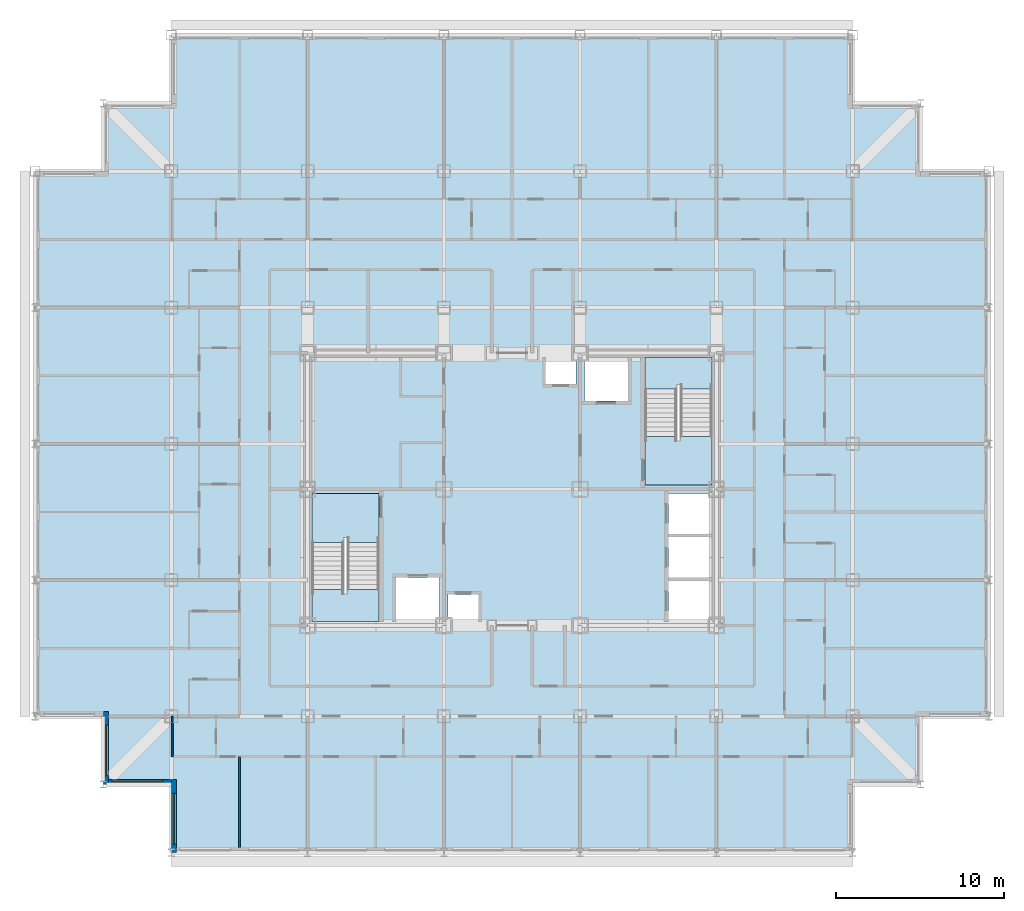
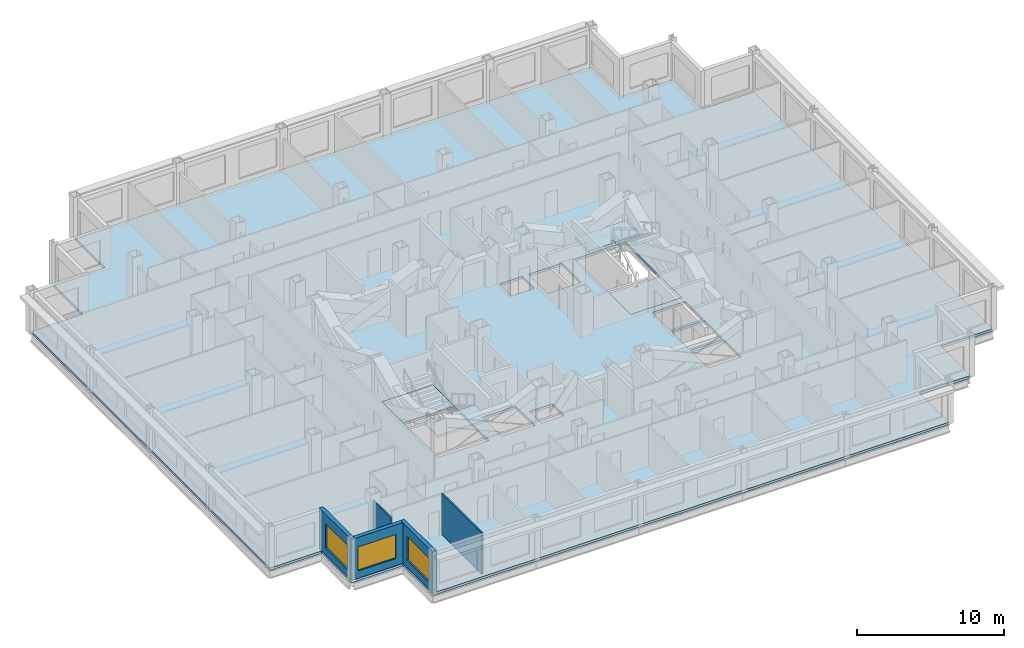
# One storey, part 3 of 12: 5 slabs, 5 walls, 3 windows, 3 openings, 2 elements without a shape of their own.
"""IFC4 building model written with IfcOpenShell, lengths in metres."""

from ifc_helpers import new_model, si_unit, direction, frame, frame_2d, origin, place, context, subcontext, project, spatial, polyline, rectangle, outline, extrude, material, layer, layer_set, type_object, element, fill, aggregate, save


model = new_model("IFC4")

# Units and contexts
model_context = context("Model", 3, precision=1e-05, world=origin(), true_north=direction((0.0, 1.0)))
body_context = subcontext(model_context, "Body", "Model", "MODEL_VIEW")
ifc_project = project(units=[si_unit("LENGTHUNIT", "METRE"), si_unit("AREAUNIT", "SQUARE_METRE"), si_unit("VOLUMEUNIT", "CUBIC_METRE"), si_unit("PLANEANGLEUNIT", "RADIAN"), si_unit("MASSUNIT", "GRAM", prefix="KILO")], contexts=[model_context])

# Site, building, storey
site_placement = place(None, origin())
site = spatial("IfcSite", under=ifc_project, at=site_placement, CompositionType="ELEMENT")
building_placement = place(site_placement, origin())
building = spatial("IfcBuilding", under=site, at=building_placement, Name="Kopane Lantern Tower", CompositionType="ELEMENT")
storey_placement = place(building_placement, frame((0.0, 0.0, 184.800048828125)))
storey = spatial("IfcBuildingStorey", under=building, at=storey_placement, Name="L47", CompositionType="ELEMENT", Elevation=184.800048828125)

# Slab
ifc_material_1 = material(Name="Concrete C40/50", Category="concrete")
ifc_layer_1 = layer(ifc_material_1, 0.2099609375)
ifc_layer_set_1 = layer_set([ifc_layer_1], Name="SLAB 210 COMPOSITE")
slab_type_1 = type_object("IfcSlabType", Name="SLAB 210 COMPOSITE", PredefinedType="FLOOR", material=ifc_layer_set_1)
slab_1_placement = place(storey_placement, frame((0.0, 0.0, -0.2099609375)))
element("IfcSlab", 1, at=slab_1_placement, inside=storey, type_object=slab_type_1, Name="Floor slab L47", PredefinedType="FLOOR", context=body_context, shape_type="SweptSolid", body=[
    extrude(outline(polyline([(8.10009765625, 10.800048828125), (48.60009765625, 10.800048828125), (48.60009765625, 14.85009765625), (52.64990234375, 14.85009765625), (52.64990234375, 18.89990234375), (56.699951171875, 18.89990234375), (56.699951171875, 51.300048828125), (52.64990234375, 51.300048828125), (52.64990234375, 55.35009765625), (48.60009765625, 55.35009765625), (48.60009765625, 59.39990234375), (8.10009765625, 59.39990234375), (8.10009765625, 55.35009765625), (4.050048828125, 55.35009765625), (4.050048828125, 51.300048828125), (0.0, 51.300048828125), (0.0, 18.89990234375), (4.050048828125, 18.89990234375), (4.050048828125, 14.85009765625), (8.10009765625, 14.85009765625), (8.10009765625, 10.800048828125)]), holes=[polyline([(16.449951171875, 24.550048828125), (20.449951171875, 24.550048828125), (20.449951171875, 32.14990234375), (16.449951171875, 32.14990234375), (16.449951171875, 24.550048828125)]), polyline([(36.25, 32.64990234375), (40.25, 32.64990234375), (40.25, 40.25), (36.25, 40.25), (36.25, 32.64990234375)]), polyline([(37.64990234375, 24.550048828125), (40.25, 24.550048828125), (40.25, 26.949951171875), (37.64990234375, 26.949951171875), (37.64990234375, 24.550048828125)]), polyline([(37.64990234375, 27.14990234375), (40.25, 27.14990234375), (40.25, 29.550048828125), (37.64990234375, 29.550048828125), (37.64990234375, 27.14990234375)]), polyline([(37.64990234375, 29.75), (40.25, 29.75), (40.25, 32.14990234375), (37.64990234375, 32.14990234375), (37.64990234375, 29.75)]), polyline([(21.449951171875, 24.550048828125), (24.050048828125, 24.550048828125), (24.050048828125, 27.14990234375), (21.449951171875, 27.14990234375), (21.449951171875, 24.550048828125)]), polyline([(32.64990234375, 37.64990234375), (35.25, 37.64990234375), (35.25, 40.25), (32.64990234375, 40.25), (32.64990234375, 37.64990234375)]), polyline([(24.550048828125, 24.550048828125), (26.35009765625, 24.550048828125), (26.35009765625, 26.14990234375), (24.550048828125, 26.14990234375), (24.550048828125, 24.550048828125)]), polyline([(30.35009765625, 38.64990234375), (32.14990234375, 38.64990234375), (32.14990234375, 40.25), (30.35009765625, 40.25), (30.35009765625, 38.64990234375)])]), origin(), (0.0, 0.0, 1.0), 0.2099609375),
])

# Stair, slabs
ifc_material_2 = material(Name="Steel S355JR", Category="steel")
stair_type = type_object("IfcStairType", Name="EXIT STAIR 1900 HALF TURN", PredefinedType="HALF_TURN_STAIR", material=ifc_material_2)
stair_1_placement = place(storey_placement, origin())
stair_1 = element("IfcStair", 2, at=stair_1_placement, inside=storey, type_object=stair_type, Name="Exit stair ST1 L47", PredefinedType="HALF_TURN_STAIR")
ifc_material_3 = material(Name="Concrete C40/50", Category="concrete")
ifc_layer_2 = layer(ifc_material_3, 0.199951171875)
ifc_layer_set_2 = layer_set([ifc_layer_2], Name="STAIR LANDING 200")
slab_type_2 = type_object("IfcSlabType", Name="STAIR LANDING 200", PredefinedType="LANDING", material=ifc_layer_set_2)
slab_2_placement = place(storey_placement, frame((0.0, 0.0, -0.199951171875)))
slab_2 = element("IfcSlab", 3, at=slab_2_placement, type_object=slab_type_2, Name="ST1 landing 1", PredefinedType="LANDING", context=body_context, shape_type="SweptSolid", body=[
    extrude(outline(polyline([(18.35009765625, 29.530029296875), (18.550048828125, 29.530029296875), (18.550048828125, 29.25), (20.449951171875, 29.25), (20.449951171875, 32.14990234375), (16.449951171875, 32.14990234375), (16.449951171875, 29.25), (18.35009765625, 29.25), (18.35009765625, 29.530029296875)])), origin(), (0.0, 0.0, 1.0), 0.199951171875),
])
slab_3_placement = place(storey_placement, frame((0.0, 0.0, 1.599853515625)))
slab_3 = element("IfcSlab", 4, at=slab_3_placement, type_object=slab_type_2, Name="ST1 landing 2", PredefinedType="LANDING", context=body_context, shape_type="SweptSolid", body=[
    extrude(outline(polyline([(20.449951171875, 26.449951171875), (18.550048828125, 26.449951171875), (18.550048828125, 26.169921875), (18.35009765625, 26.169921875), (18.35009765625, 26.449951171875), (16.449951171875, 26.449951171875), (16.449951171875, 24.550048828125), (20.449951171875, 24.550048828125), (20.449951171875, 26.449951171875)])), origin(), (0.0, 0.0, 1.0), 0.2001953125),
])
aggregate(stair_1, [slab_2, slab_3])

stair_2_placement = place(storey_placement, origin())
stair_2 = element("IfcStair", 5, at=stair_2_placement, inside=storey, type_object=stair_type, Name="Exit stair ST2 L47", PredefinedType="HALF_TURN_STAIR")
slab_4_placement = place(storey_placement, frame((0.0, 0.0, -0.199951171875)))
slab_4 = element("IfcSlab", 6, at=slab_4_placement, type_object=slab_type_2, Name="ST2 landing 1", PredefinedType="LANDING", context=body_context, shape_type="SweptSolid", body=[
    extrude(outline(polyline([(40.25, 35.550048828125), (38.35009765625, 35.550048828125), (38.35009765625, 35.27001953125), (38.14990234375, 35.27001953125), (38.14990234375, 35.550048828125), (36.25, 35.550048828125), (36.25, 32.64990234375), (40.25, 32.64990234375), (40.25, 35.550048828125)])), origin(), (0.0, 0.0, 1.0), 0.199951171875),
])
slab_5_placement = place(storey_placement, frame((0.0, 0.0, 1.599853515625)))
slab_5 = element("IfcSlab", 7, at=slab_5_placement, type_object=slab_type_2, Name="ST2 landing 2", PredefinedType="LANDING", context=body_context, shape_type="SweptSolid", body=[
    extrude(outline(polyline([(38.14990234375, 38.6298828125), (38.35009765625, 38.6298828125), (38.35009765625, 38.35009765625), (40.25, 38.35009765625), (40.25, 40.25), (36.25, 40.25), (36.25, 38.35009765625), (38.14990234375, 38.35009765625), (38.14990234375, 38.6298828125)])), origin(), (0.0, 0.0, 1.0), 0.2001953125),
])
aggregate(stair_2, [slab_4, slab_5])

# Walls
ifc_material_4 = material(Name="Gypsum board on steel studs", Category="steel")
ifc_layer_3 = layer(ifc_material_4, 0.1201171875)
ifc_layer_set_3 = layer_set([ifc_layer_3], Name="APARTMENT INTERNAL WALL 120")
wall_type_1 = type_object("IfcWallType", Name="APARTMENT INTERNAL WALL 120", PredefinedType="PARTITIONING", material=ifc_layer_set_3)
wall_1_placement = place(storey_placement, frame((12.14990234375, 16.5, 0.0), z_axis=(0.0, 0.0, 1.0), x_axis=(0.0, -1.0, 0.0)))
element("IfcWall", 8, at=wall_1_placement, inside=storey, type_object=wall_type_1, Name="Apartment Internal Wall 120 L47", PredefinedType="PARTITIONING", context=body_context, shape_type="SweptSolid", body=[
    extrude(rectangle(XDim=5.39990234375, YDim=0.1201171875, at=frame_2d((2.699951171875, 0.0))), origin(), (0.0, 0.0, 1.0), 3.389892578125),
])
ifc_material_5 = material(Name="Moisture-resistant board on steel studs", Category="steel")
ifc_layer_4 = layer(ifc_material_5, 0.10009765625)
ifc_layer_set_4 = layer_set([ifc_layer_4], Name="BATHROOM WALL 100")
wall_type_2 = type_object("IfcWallType", Name="BATHROOM WALL 100", PredefinedType="PARTITIONING", material=ifc_layer_set_4)
wall_2_placement = place(storey_placement, frame((8.14990234375, 18.89990234375, 0.0), z_axis=(0.0, 0.0, 1.0), x_axis=(0.0, -1.0, 0.0)))
element("IfcWall", 9, at=wall_2_placement, inside=storey, type_object=wall_type_2, Name="Bathroom Wall 100 L47", PredefinedType="PARTITIONING", context=body_context, shape_type="SweptSolid", body=[
    extrude(rectangle(XDim=2.39990234375, YDim=0.10009765625, at=frame_2d((1.199951171875, 0.0))), origin(), (0.0, 0.0, 1.0), 2.77783203125),
])

# Wall, opening, window
ifc_material_6 = material(Name="Terracotta rainscreen on light steel framing", Category="masonry")
ifc_layer_5 = layer(ifc_material_6, 0.300048828125)
ifc_layer_set_5 = layer_set([ifc_layer_5], Name="EXTERNAL WALL EW1 300 TERRACOTTA")
wall_type_3 = type_object("IfcWallType", Name="EXTERNAL WALL EW1 300 TERRACOTTA", PredefinedType="SOLIDWALL", material=ifc_layer_set_5)
wall_3_placement = place(storey_placement, frame((4.199951171875, 19.199951171875, 0.0), z_axis=(0.0, 0.0, 1.0), x_axis=(0.0, -1.0, 0.0)))
wall_3 = element("IfcWall", 10, at=wall_3_placement, inside=storey, type_object=wall_type_3, Name="External wall W L47", PredefinedType="SOLIDWALL", context=body_context, shape_type="SweptSolid", body=[
    extrude(rectangle(XDim=4.349853515625, YDim=0.300048828125, at=frame_2d((2.1748046875, 0.0))), origin(), (0.0, 0.0, 1.0), 3.389892578125),
])
opening_1_placement = place(wall_3_placement, frame((0.824951171875, 0.0, 0.60009765625)))
opening_1 = element("IfcOpeningElement", 11, at=opening_1_placement, cuts=wall_3, Name="Opening WR300200", PredefinedType="OPENING", context=body_context, shape_type="SweptSolid", body=[
    extrude(rectangle(XDim=3.0, YDim=2.0, at=frame_2d((1.5, 1.0))), frame((0.0, 0.159912109375, 0.0), z_axis=(0.0, -1.0, 0.0), x_axis=(1.0, 0.0, 0.0)), (0.0, 0.0, 1.0), 0.320068359375),
])
ifc_material_7 = material(Name="Aluminium and clear glass", Category="aluminium")
window_type = type_object("IfcWindowType", Name="RIBBON WINDOW WR300200 3000x2000", PartitioningType="SINGLE_PANEL", PredefinedType="WINDOW", material=ifc_material_7)
window_1_placement = place(opening_1_placement, origin())
window_1 = element("IfcWindow", 12, at=window_1_placement, inside=storey, type_object=window_type, Name="Window W L47", OverallHeight=2.0, OverallWidth=3.0, PartitioningType="SINGLE_PANEL", PredefinedType="WINDOW", context=body_context, shape_type="SweptSolid", body=[
    extrude(rectangle(XDim=3.0, YDim=2.0, at=frame_2d((1.5, 1.0))), frame((0.0, 0.030029296875, 0.0), z_axis=(0.0, -1.0, 0.0), x_axis=(1.0, 0.0, 0.0)), (0.0, 0.0, 1.0), 0.06005859375),
])
fill(opening_1, window_1)

wall_4_placement = place(storey_placement, frame((4.35009765625, 15.0, 0.0), z_axis=(0.0, 0.0, 1.0), x_axis=(1.0, 0.0, 0.0)))
wall_4 = element("IfcWall", 13, at=wall_4_placement, inside=storey, type_object=wall_type_3, Name="External wall S L47", PredefinedType="SOLIDWALL", context=body_context, shape_type="SweptSolid", body=[
    extrude(rectangle(XDim=3.75, YDim=0.300048828125, at=frame_2d((1.875, 0.0))), origin(), (0.0, 0.0, 1.0), 3.389892578125),
])
opening_2_placement = place(wall_4_placement, frame((0.22509765625, 0.0, 0.60009765625)))
opening_2 = element("IfcOpeningElement", 14, at=opening_2_placement, cuts=wall_4, Name="Opening WR300200", PredefinedType="OPENING", context=body_context, shape_type="SweptSolid", body=[
    extrude(rectangle(XDim=3.0, YDim=2.0, at=frame_2d((1.5, 1.0))), frame((0.0, 0.159912109375, 0.0), z_axis=(0.0, -1.0, 0.0), x_axis=(1.0, 0.0, 0.0)), (0.0, 0.0, 1.0), 0.320068359375),
])
window_2_placement = place(opening_2_placement, origin())
window_2 = element("IfcWindow", 15, at=window_2_placement, inside=storey, type_object=window_type, Name="Window S L47", OverallHeight=2.0, OverallWidth=3.0, PartitioningType="SINGLE_PANEL", PredefinedType="WINDOW", context=body_context, shape_type="SweptSolid", body=[
    extrude(rectangle(XDim=3.0, YDim=2.0, at=frame_2d((1.5, 1.0))), frame((0.0, 0.030029296875, 0.0), z_axis=(0.0, -1.0, 0.0), x_axis=(1.0, 0.0, 0.0)), (0.0, 0.0, 1.0), 0.06005859375),
])
fill(opening_2, window_2)

wall_5_placement = place(storey_placement, frame((8.25, 15.14990234375, 0.0), z_axis=(0.0, 0.0, 1.0), x_axis=(0.0, -1.0, 0.0)))
wall_5 = element("IfcWall", 16, at=wall_5_placement, inside=storey, type_object=wall_type_3, Name="External wall W L47", PredefinedType="SOLIDWALL", context=body_context, shape_type="SweptSolid", body=[
    extrude(rectangle(XDim=4.349853515625, YDim=0.300048828125, at=frame_2d((2.1748046875, 0.0))), origin(), (0.0, 0.0, 1.0), 3.389892578125),
])
opening_3_placement = place(wall_5_placement, frame((0.824951171875, 0.0, 0.60009765625)))
opening_3 = element("IfcOpeningElement", 17, at=opening_3_placement, cuts=wall_5, Name="Opening WR300200", PredefinedType="OPENING", context=body_context, shape_type="SweptSolid", body=[
    extrude(rectangle(XDim=3.0, YDim=2.0, at=frame_2d((1.5, 1.0))), frame((0.0, 0.159912109375, 0.0), z_axis=(0.0, -1.0, 0.0), x_axis=(1.0, 0.0, 0.0)), (0.0, 0.0, 1.0), 0.320068359375),
])
window_3_placement = place(opening_3_placement, origin())
window_3 = element("IfcWindow", 18, at=window_3_placement, inside=storey, type_object=window_type, Name="Window W L47", OverallHeight=2.0, OverallWidth=3.0, PartitioningType="SINGLE_PANEL", PredefinedType="WINDOW", context=body_context, shape_type="SweptSolid", body=[
    extrude(rectangle(XDim=3.0, YDim=2.0, at=frame_2d((1.5, 1.0))), frame((0.0, 0.030029296875, 0.0), z_axis=(0.0, -1.0, 0.0), x_axis=(1.0, 0.0, 0.0)), (0.0, 0.0, 1.0), 0.06005859375),
])
fill(opening_3, window_3)

save(model, "model.ifc")
